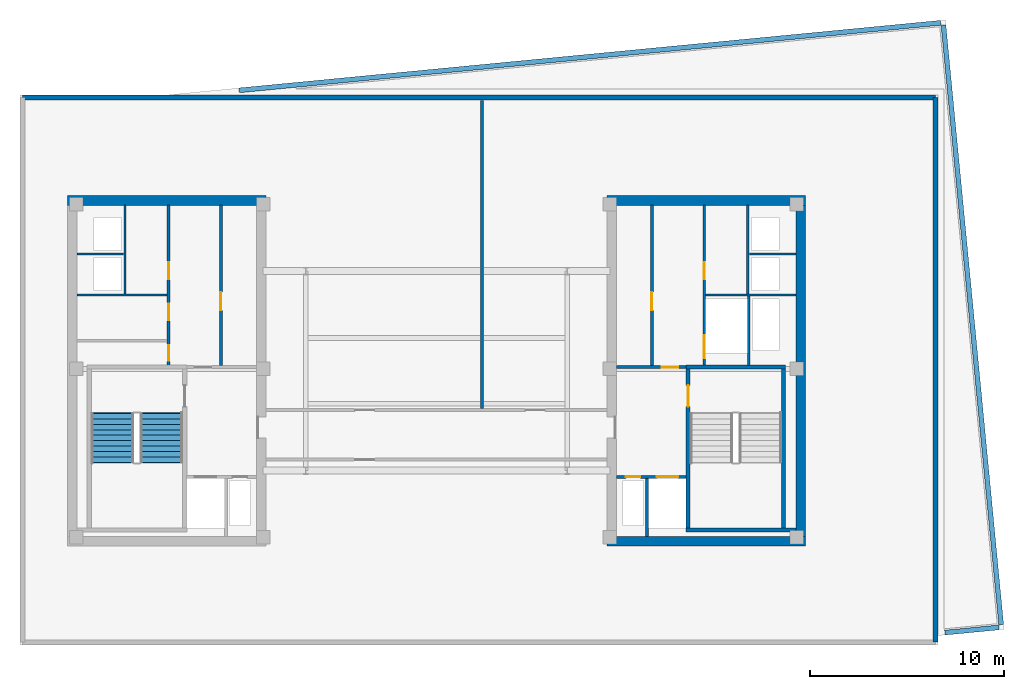
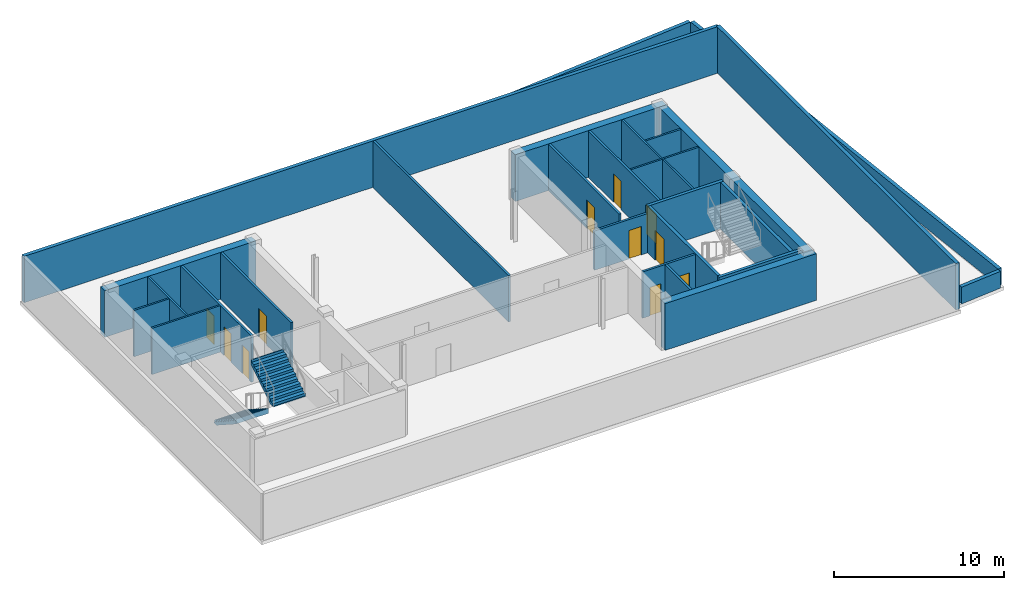
# One storey, part 3 of 6: 28 walls, 11 doors, 2 stair flights, 11 openings, 1 element without a shape of its own.
"""IFC4 building model written with IfcOpenShell, lengths in metres."""

from ifc_helpers import new_model, si_unit, direction, frame, frame_2d, origin, place, context, subcontext, project, spatial, polyline, rectangle, outline, extrude, material, layer, layer_set, type_object, element, fill, aggregate, save


model = new_model("IFC4")

# Units and contexts
model_context = context("Model", 3, precision=1e-05, world=origin(), true_north=direction((0.0, 1.0)))
body_context = subcontext(model_context, "Body", "Model", "MODEL_VIEW")
ifc_project = project(units=[si_unit("LENGTHUNIT", "METRE"), si_unit("AREAUNIT", "SQUARE_METRE"), si_unit("VOLUMEUNIT", "CUBIC_METRE"), si_unit("PLANEANGLEUNIT", "RADIAN"), si_unit("MASSUNIT", "GRAM", prefix="KILO")], contexts=[model_context])

# Site, building, storey
site_placement = place(None, origin())
site = spatial("IfcSite", under=ifc_project, at=site_placement, CompositionType="ELEMENT")
building_placement = place(site_placement, origin())
building = spatial("IfcBuilding", under=site, at=building_placement, Name="Velakula Bourse", CompositionType="ELEMENT")
storey_placement = place(building_placement, frame((0.0, 0.0, 290.550048828125)))
storey = spatial("IfcBuildingStorey", under=building, at=storey_placement, Name="L79", CompositionType="ELEMENT", Elevation=290.550048828125)

# Wall, opening, door
ifc_material_1 = material(Name="Concrete M50 (fck 50 MPa)", Category="concrete")
ifc_layer_1 = layer(ifc_material_1, 0.2099609375, Name="Concrete M50 (fck 50 MPa)", Category="concrete")
ifc_layer_set_1 = layer_set([ifc_layer_1], Name="Concrete M50 (fck 50 MPa)")
wall_type_1 = type_object("IfcWallType", Name="WL-CORE-210", PredefinedType="SHEAR", material=ifc_layer_set_1)
wall_1_placement = place(storey_placement, frame((12.9951171875, -8.10009765625, 0.0), z_axis=(0.0, 0.0, 1.0), x_axis=(0.0, 1.0, 0.0)))
wall_1 = element("IfcWall", 1, at=wall_1_placement, inside=storey, type_object=wall_type_1, Name="L79 Core E Stairwell Shear Wall IN", PredefinedType="SHEAR", context=body_context, shape_type="SweptSolid", body=[
    extrude(rectangle(XDim=8.2001953125, YDim=0.2099609375, at=frame_2d((4.10009765625, 0.0))), origin(), (0.0, 0.0, 1.0), 3.349853515625),
])
opening_1_placement = place(wall_1_placement, frame((6.25, 0.0, 0.0)))
opening_1 = element("IfcOpeningElement", 2, at=opening_1_placement, cuts=wall_1, Name="Opening D-STE1", PredefinedType="OPENING", context=body_context, shape_type="SweptSolid", body=[
    extrude(rectangle(XDim=1.10009765625, YDim=2.14990234375, at=frame_2d((0.550048828125, 1.074951171875))), frame((0.0, 0.114990234375, 0.0), z_axis=(0.0, -1.0, 0.0), x_axis=(1.0, 0.0, 0.0)), (0.0, 0.0, 1.0), 0.22998046875),
])
ifc_material_2 = material(Name="Galvanised painted hollow steel fire door", Category="steel")
door_type_1 = type_object("IfcDoorType", Name="DR-FD120-1100x2150", OperationType="NOTDEFINED", PredefinedType="DOOR", material=ifc_material_2)
door_1_placement = place(opening_1_placement, origin())
door_1 = element("IfcDoor", 3, at=door_1_placement, inside=storey, type_object=door_type_1, Name="L79 Stair ST-E1 Fire Door", OperationType="SINGLE_SWING_RIGHT", OverallHeight=2.14990234375, OverallWidth=1.10009765625, PredefinedType="DOOR", context=body_context, shape_type="SweptSolid", body=[
    extrude(rectangle(XDim=1.10009765625, YDim=2.14990234375, at=frame_2d((0.550048828125, 1.074951171875))), frame((0.0, 0.02490234375, 0.0), z_axis=(0.0, -1.0, 0.0), x_axis=(1.0, 0.0, 0.0)), (0.0, 0.0, 1.0), 0.050048828125),
])
fill(opening_1, door_1)

# Walls
wall_2_placement = place(storey_placement, frame((17.925048828125, -8.10009765625, 0.0), z_axis=(0.0, 0.0, 1.0), x_axis=(0.0, 1.0, 0.0)))
element("IfcWall", 4, at=wall_2_placement, inside=storey, type_object=wall_type_1, Name="L79 Core E Stairwell Shear Wall OUT", PredefinedType="SHEAR", context=body_context, shape_type="SweptSolid", body=[
    extrude(rectangle(XDim=8.2001953125, YDim=0.2099609375, at=frame_2d((4.10009765625, 0.0))), origin(), (0.0, 0.0, 1.0), 3.349853515625),
])
wall_3_placement = place(storey_placement, frame((12.889892578125, -8.205078125, 0.0), z_axis=(0.0, 0.0, 1.0), x_axis=(1.0, 0.0, 0.0)))
element("IfcWall", 5, at=wall_3_placement, inside=storey, type_object=wall_type_1, Name="L79 Core E Stairwell Shear Wall S", PredefinedType="SHEAR", context=body_context, shape_type="SweptSolid", body=[
    extrude(rectangle(XDim=5.66015625, YDim=0.2099609375, at=frame_2d((2.830078125, 0.0))), origin(), (0.0, 0.0, 1.0), 3.349853515625),
])
wall_4_placement = place(storey_placement, frame((18.030029296875, 0.205078125, 0.0), z_axis=(0.0, 0.0, 1.0), x_axis=(-1.0, 0.0, 0.0)))
element("IfcWall", 6, at=wall_4_placement, inside=storey, type_object=wall_type_1, Name="L79 Core E Stairwell Shear Wall N", PredefinedType="SHEAR", context=body_context, shape_type="SweptSolid", body=[
    extrude(rectangle(XDim=5.14013671875, YDim=0.2099609375, at=frame_2d((2.570068359375, 0.0))), origin(), (0.0, 0.0, 1.0), 3.349853515625),
])
ifc_layer_2 = layer(ifc_material_1, 0.5, Name="Concrete M50 (fck 50 MPa)", Category="concrete")
ifc_layer_set_2 = layer_set([ifc_layer_2], Name="Concrete M50 (fck 50 MPa)")
wall_type_2 = type_object("IfcWallType", Name="WL-CORE-500", PredefinedType="SHEAR", material=ifc_layer_set_2)
for number, where, z_axis, x_axis, name in (
    (7, (-19.050048828125, 8.800048828125, 0.0), (0.0, 0.0, 1.0), (1.0, 0.0, 0.0), "L79 Core W Shear Wall N"),
    (8, (8.800048828125, -8.800048828125, 0.0), (0.0, 0.0, 1.0), (1.0, 0.0, 0.0), "L79 Core E Shear Wall S"),
    (9, (8.800048828125, 8.800048828125, 0.0), (0.0, 0.0, 1.0), (1.0, 0.0, 0.0), "L79 Core E Shear Wall N"),
):
    element("IfcWall", number, at=place(storey_placement, frame(where, z_axis=z_axis, x_axis=x_axis)), inside=storey, type_object=wall_type_2, Name=name, PredefinedType="SHEAR", context=body_context, shape_type="SweptSolid", body=[
        extrude(rectangle(XDim=10.25, YDim=0.5, at=frame_2d((5.125, 0.0))), origin(), (0.0, 0.0, 1.0), 3.349853515625),
    ])
wall_5_placement = place(storey_placement, frame((18.800048828125, -8.550048828125, 0.0), z_axis=(0.0, 0.0, 1.0), x_axis=(0.0, 1.0, 0.0)))
element("IfcWall", 10, at=wall_5_placement, inside=storey, type_object=wall_type_2, Name="L79 Core E Shear Wall E", PredefinedType="SHEAR", context=body_context, shape_type="SweptSolid", body=[
    extrude(rectangle(XDim=17.10009765625, YDim=0.5, at=frame_2d((8.550048828125, 0.0))), origin(), (0.0, 0.0, 1.0), 3.349853515625),
])
ifc_material_3 = material(Name="Buff kilned clay facing brick masonry", Category="masonry")
ifc_layer_3 = layer(ifc_material_3, 0.239990234375, Name="Buff kilned clay facing brick masonry", Category="masonry")
ifc_layer_set_3 = layer_set([ifc_layer_3], Name="Buff kilned clay facing brick masonry")
wall_type_3 = type_object("IfcWallType", Name="WL-EXT-CRN-240", PredefinedType="STANDARD", material=ifc_layer_set_3)
wall_6_placement = place(storey_placement, frame((25.760009765625, -14.010009765625, 0.0), z_axis=(0.0, 0.0, 1.0), x_axis=(0.0, 1.0, 0.0)))
element("IfcWall", 11, at=wall_6_placement, inside=storey, type_object=wall_type_3, Name="L79 Crown Brick Acoustic Wall E", PredefinedType="STANDARD", context=body_context, shape_type="SweptSolid", body=[
    extrude(rectangle(XDim=28.1201171875, YDim=0.239990234375, at=frame_2d((14.06005859375, 0.0))), origin(), (0.0, 0.0, 1.0), 3.329833984375),
])
wall_7_placement = place(storey_placement, frame((25.760009765625, 14.110107421875, 0.0), z_axis=(0.0, 0.0, 1.0), x_axis=(-1.0, 0.0, 0.0)))
element("IfcWall", 12, at=wall_7_placement, inside=storey, type_object=wall_type_3, Name="L79 Crown Brick Acoustic Wall N", PredefinedType="STANDARD", context=body_context, shape_type="SweptSolid", body=[
    extrude(rectangle(XDim=47.1201171875, YDim=0.239990234375, at=frame_2d((23.56005859375, 0.0))), origin(), (0.0, 0.0, 1.0), 3.329833984375),
])
ifc_layer_4 = layer(ifc_material_3, 0.25, Name="Buff kilned clay facing brick masonry", Category="masonry")
ifc_layer_set_4 = layer_set([ifc_layer_4], Name="Buff kilned clay facing brick masonry")
wall_type_4 = type_object("IfcWallType", Name="WL-PAR-ROOF-250", PredefinedType="PARAPET", material=ifc_layer_set_4)
wall_8_placement = place(storey_placement, frame((26.175537109375, 17.853515625, 0.0), z_axis=(0.0, 0.0, 1.0), x_axis=(0.095842242212, -0.995396536365, 0.0)))
element("IfcWall", 13, at=wall_8_placement, inside=storey, type_object=wall_type_4, Name="L79 Closed Roof Perimeter Parapet 1", PredefinedType="PARAPET", context=body_context, shape_type="SweptSolid", body=[
    extrude(rectangle(XDim=31.10009765625, YDim=0.25, at=frame_2d((15.550048828125, 0.0))), origin(), (0.0, 0.0, 1.0), 1.199951171875),
])
wall_9_placement = place(storey_placement, frame((29.039306640625, -13.2451171875, 0.0), z_axis=(0.0, 0.0, 1.0), x_axis=(-0.995390337181, -0.095906603766, 0.0)))
element("IfcWall", 14, at=wall_9_placement, inside=storey, type_object=wall_type_4, Name="L79 Closed Roof Perimeter Parapet 2", PredefinedType="PARAPET", context=body_context, shape_type="SweptSolid", body=[
    extrude(rectangle(XDim=2.802734375, YDim=0.25, at=frame_2d((1.4013671875, 0.0))), origin(), (0.0, 0.0, 1.0), 1.199951171875),
])
wall_10_placement = place(storey_placement, frame((-10.190185546875, 14.482421875, 0.0), z_axis=(0.0, 0.0, 1.0), x_axis=(0.995396003119, 0.095847780233, 0.0)))
element("IfcWall", 15, at=wall_10_placement, inside=storey, type_object=wall_type_4, Name="L79 Closed Roof Perimeter Parapet 3", PredefinedType="PARAPET", context=body_context, shape_type="SweptSolid", body=[
    extrude(rectangle(XDim=36.391357421875, YDim=0.25, at=frame_2d((18.19580078125, 0.0))), origin(), (0.0, 0.0, 1.0), 1.199951171875),
])
ifc_material_4 = material(Name="Fire-rated double-layer gypsum drywall partition", Category="gypsum")
ifc_layer_5 = layer(ifc_material_4, 0.1201171875, Name="Fire-rated double-layer gypsum drywall partition", Category="gypsum")
ifc_layer_set_5 = layer_set([ifc_layer_5], Name="Fire-rated double-layer gypsum drywall partition")
wall_type_5 = type_object("IfcWallType", Name="WL-PART-120", PredefinedType="STANDARD", material=ifc_layer_set_5)
wall_11_placement = place(storey_placement, frame((-18.550048828125, 3.919921875, 0.0), z_axis=(0.0, 0.0, 1.0), x_axis=(1.0, 0.0, 0.0)))
element("IfcWall", 16, at=wall_11_placement, inside=storey, type_object=wall_type_5, Name="L79 Interior Partition WL-CRW-L79-HI-S", PredefinedType="STANDARD", context=body_context, shape_type="SweptSolid", body=[
    extrude(rectangle(XDim=4.650146484375, YDim=0.1201171875, at=frame_2d((2.3251953125, 0.0))), origin(), (0.0, 0.0, 1.0), 3.329833984375),
])
wall_12_placement = place(storey_placement, frame((-18.550048828125, 6.030029296875, 0.0), z_axis=(0.0, 0.0, 1.0), x_axis=(1.0, 0.0, 0.0)))
element("IfcWall", 17, at=wall_12_placement, inside=storey, type_object=wall_type_5, Name="L79 Interior Partition WL-CRW-L79-RIS-MID", PredefinedType="STANDARD", context=body_context, shape_type="SweptSolid", body=[
    extrude(rectangle(XDim=2.400146484375, YDim=0.1201171875, at=frame_2d((1.2001953125, 0.0))), origin(), (0.0, 0.0, 1.0), 3.329833984375),
])
wall_13_placement = place(storey_placement, frame((-16.074951171875, 3.97998046875, 0.0), z_axis=(0.0, 0.0, 1.0), x_axis=(0.0, 1.0, 0.0)))
element("IfcWall", 18, at=wall_13_placement, inside=storey, type_object=wall_type_5, Name="L79 Interior Partition WL-CRW-L79-RIS-F", PredefinedType="STANDARD", context=body_context, shape_type="SweptSolid", body=[
    extrude(rectangle(XDim=4.570068359375, YDim=0.1201171875, at=frame_2d((2.28515625, 0.0))), origin(), (0.0, 0.0, 1.0), 3.329833984375),
])
wall_14_placement = place(storey_placement, frame((13.89990234375, 3.919921875, 0.0), z_axis=(0.0, 0.0, 1.0), x_axis=(1.0, 0.0, 0.0)))
element("IfcWall", 19, at=wall_14_placement, inside=storey, type_object=wall_type_5, Name="L79 Interior Partition WL-CRE-L79-HI-S", PredefinedType="STANDARD", context=body_context, shape_type="SweptSolid", body=[
    extrude(rectangle(XDim=4.650146484375, YDim=0.1201171875, at=frame_2d((2.3251953125, 0.0))), origin(), (0.0, 0.0, 1.0), 3.329833984375),
])
wall_15_placement = place(storey_placement, frame((16.14990234375, 6.030029296875, 0.0), z_axis=(0.0, 0.0, 1.0), x_axis=(1.0, 0.0, 0.0)))
element("IfcWall", 20, at=wall_15_placement, inside=storey, type_object=wall_type_5, Name="L79 Interior Partition WL-CRE-L79-RIS-MID", PredefinedType="STANDARD", context=body_context, shape_type="SweptSolid", body=[
    extrude(rectangle(XDim=2.400146484375, YDim=0.1201171875, at=frame_2d((1.2001953125, 0.0))), origin(), (0.0, 0.0, 1.0), 3.329833984375),
])
wall_16_placement = place(storey_placement, frame((16.074951171875, 3.97998046875, 0.0), z_axis=(0.0, 0.0, 1.0), x_axis=(0.0, 1.0, 0.0)))
element("IfcWall", 21, at=wall_16_placement, inside=storey, type_object=wall_type_5, Name="L79 Interior Partition WL-CRE-L79-RIS-F", PredefinedType="STANDARD", context=body_context, shape_type="SweptSolid", body=[
    extrude(rectangle(XDim=4.570068359375, YDim=0.1201171875, at=frame_2d((2.28515625, 0.0))), origin(), (0.0, 0.0, 1.0), 3.329833984375),
])
wall_17_placement = place(storey_placement, frame((16.125, 0.27001953125, 0.0), z_axis=(0.0, 0.0, 1.0), x_axis=(0.0, 1.0, 0.0)))
element("IfcWall", 22, at=wall_17_placement, inside=storey, type_object=wall_type_5, Name="L79 Interior Partition WL-CRE-L79-SVL-E", PredefinedType="STANDARD", context=body_context, shape_type="SweptSolid", body=[
    extrude(rectangle(XDim=3.590087890625, YDim=0.1201171875, at=frame_2d((1.794921875, 0.0))), origin(), (0.0, 0.0, 1.0), 3.329833984375),
])

# Wall, opening, door
ifc_material_5 = material(Name="Autoclaved aerated concrete blockwork masonry", Category="masonry")
ifc_layer_6 = layer(ifc_material_5, 0.14990234375, Name="Autoclaved aerated concrete blockwork masonry", Category="masonry")
ifc_layer_set_6 = layer_set([ifc_layer_6], Name="Autoclaved aerated concrete blockwork masonry")
wall_type_6 = type_object("IfcWallType", Name="WL-SHAFT-150", PredefinedType="STANDARD", material=ifc_layer_set_6)
wall_18_placement = place(storey_placement, frame((-11.125, 0.27001953125, 0.0), z_axis=(0.0, 0.0, 1.0), x_axis=(0.0, 1.0, 0.0)))
wall_18 = element("IfcWall", 23, at=wall_18_placement, inside=storey, type_object=wall_type_6, Name="L79 Interior Partition WL-CRW-L79-BANK-F", PredefinedType="STANDARD", context=body_context, shape_type="SweptSolid", body=[
    extrude(rectangle(XDim=8.280029296875, YDim=0.14990234375, at=frame_2d((4.14013671875, 0.0))), origin(), (0.0, 0.0, 1.0), 3.329833984375),
])
opening_2_placement = place(wall_18_placement, frame((2.85009765625, 0.0, 0.0)))
opening_2 = element("IfcOpeningElement", 24, at=opening_2_placement, cuts=wall_18, Name="Opening D-RC4", PredefinedType="OPENING", context=body_context, shape_type="SweptSolid", body=[
    extrude(rectangle(XDim=0.949951171875, YDim=2.050048828125, at=frame_2d((0.47509765625, 1.02490234375))), frame((0.0, 0.0849609375, 0.0), z_axis=(0.0, -1.0, 0.0), x_axis=(1.0, 0.0, 0.0)), (0.0, 0.0, 1.0), 0.169921875),
])
ifc_material_6 = material(Name="Fire-rated hardwood flush architectural door", Category="wood")
door_type_2 = type_object("IfcDoorType", Name="DR-FD60-950x2050", OperationType="NOTDEFINED", PredefinedType="DOOR", material=ifc_material_6)
door_2_placement = place(opening_2_placement, origin())
door_2 = element("IfcDoor", 25, at=door_2_placement, inside=storey, type_object=door_type_2, Name="L79 Reclaimed Multi-Bay Archive Room Door", OperationType="SINGLE_SWING_RIGHT", OverallHeight=2.050048828125, OverallWidth=0.949951171875, PredefinedType="DOOR", context=body_context, shape_type="SweptSolid", body=[
    extrude(rectangle(XDim=0.949951171875, YDim=2.050048828125, at=frame_2d((0.47509765625, 1.02490234375))), frame((0.0, 0.02490234375, 0.0), z_axis=(0.0, -1.0, 0.0), x_axis=(1.0, 0.0, 0.0)), (0.0, 0.0, 1.0), 0.050048828125),
])
fill(opening_2, door_2)

# Wall, openings, doors
wall_19_placement = place(storey_placement, frame((-13.824951171875, 0.27001953125, 0.0), z_axis=(0.0, 0.0, 1.0), x_axis=(0.0, 1.0, 0.0)))
wall_19 = element("IfcWall", 26, at=wall_19_placement, inside=storey, type_object=wall_type_6, Name="L79 Interior Partition WL-CRW-L79-OUT-F", PredefinedType="STANDARD", context=body_context, shape_type="SweptSolid", body=[
    extrude(rectangle(XDim=8.280029296875, YDim=0.14990234375, at=frame_2d((4.14013671875, 0.0))), origin(), (0.0, 0.0, 1.0), 3.329833984375),
])
opening_3_placement = place(wall_19_placement, frame((4.449951171875, 0.0, 0.0)))
opening_3 = element("IfcOpeningElement", 27, at=opening_3_placement, cuts=wall_19, Name="Opening D-RC3", PredefinedType="OPENING", context=body_context, shape_type="SweptSolid", body=[
    extrude(rectangle(XDim=0.89990234375, YDim=2.050048828125, at=frame_2d((0.449951171875, 1.02490234375))), frame((0.0, 0.0849609375, 0.0), z_axis=(0.0, -1.0, 0.0), x_axis=(1.0, 0.0, 0.0)), (0.0, 0.0, 1.0), 0.169921875),
])
opening_4_placement = place(wall_19_placement, frame((0.25, 0.0, 0.0)))
opening_4 = element("IfcOpeningElement", 28, at=opening_4_placement, cuts=wall_19, Name="Opening D-CS1", PredefinedType="OPENING", context=body_context, shape_type="SweptSolid", body=[
    extrude(rectangle(XDim=0.800048828125, YDim=2.050048828125, at=frame_2d((0.39990234375, 1.02490234375))), frame((0.0, 0.0849609375, 0.0), z_axis=(0.0, -1.0, 0.0), x_axis=(1.0, 0.0, 0.0)), (0.0, 0.0, 1.0), 0.169921875),
])
opening_5_placement = place(wall_19_placement, frame((2.35009765625, 0.0, 0.0)))
opening_5 = element("IfcOpeningElement", 29, at=opening_5_placement, cuts=wall_19, Name="Opening D-CW1", PredefinedType="OPENING", context=body_context, shape_type="SweptSolid", body=[
    extrude(rectangle(XDim=0.85009765625, YDim=2.050048828125, at=frame_2d((0.425048828125, 1.02490234375))), frame((0.0, 0.0849609375, 0.0), z_axis=(0.0, -1.0, 0.0), x_axis=(1.0, 0.0, 0.0)), (0.0, 0.0, 1.0), 0.169921875),
])
door_type_3 = type_object("IfcDoorType", Name="DR-FD60-900", OperationType="NOTDEFINED", PredefinedType="DOOR", material=ifc_material_6)
door_3_placement = place(opening_3_placement, origin())
door_3 = element("IfcDoor", 30, at=door_3_placement, inside=storey, type_object=door_type_3, Name="L79 Crown Lift Machine Plant Room Door", OperationType="SINGLE_SWING_LEFT", OverallHeight=2.050048828125, OverallWidth=0.89990234375, PredefinedType="DOOR", context=body_context, shape_type="SweptSolid", body=[
    extrude(rectangle(XDim=0.89990234375, YDim=2.050048828125, at=frame_2d((0.449951171875, 1.02490234375))), frame((0.0, 0.02490234375, 0.0), z_axis=(0.0, -1.0, 0.0), x_axis=(1.0, 0.0, 0.0)), (0.0, 0.0, 1.0), 0.050048828125),
])
fill(opening_3, door_3)
door_type_4 = type_object("IfcDoorType", Name="DR-INT-850", OperationType="NOTDEFINED", PredefinedType="DOOR", material=ifc_material_6)
door_4_placement = place(opening_5_placement, origin())
door_4 = element("IfcDoor", 31, at=door_4_placement, inside=storey, type_object=door_type_4, Name="L79 Core Janitor Closet Door", OperationType="SINGLE_SWING_RIGHT", OverallHeight=2.050048828125, OverallWidth=0.85009765625, PredefinedType="DOOR", context=body_context, shape_type="SweptSolid", body=[
    extrude(rectangle(XDim=0.85009765625, YDim=2.050048828125, at=frame_2d((0.425048828125, 1.02490234375))), frame((0.0, 0.02490234375, 0.0), z_axis=(0.0, -1.0, 0.0), x_axis=(1.0, 0.0, 0.0)), (0.0, 0.0, 1.0), 0.050048828125),
])
fill(opening_5, door_4)
door_type_5 = type_object("IfcDoorType", Name="DR-RISER-800x2050", OperationType="NOTDEFINED", PredefinedType="DOOR", material=ifc_material_2)
door_5_placement = place(opening_4_placement, origin())
door_5 = element("IfcDoor", 32, at=door_5_placement, inside=storey, type_object=door_type_5, Name="L79 Core Cleaner Store Door", OperationType="SINGLE_SWING_LEFT", OverallHeight=2.050048828125, OverallWidth=0.800048828125, PredefinedType="DOOR", context=body_context, shape_type="SweptSolid", body=[
    extrude(rectangle(XDim=0.800048828125, YDim=2.050048828125, at=frame_2d((0.39990234375, 1.02490234375))), frame((0.0, 0.02490234375, 0.0), z_axis=(0.0, -1.0, 0.0), x_axis=(1.0, 0.0, 0.0)), (0.0, 0.0, 1.0), 0.050048828125),
])
fill(opening_4, door_5)

wall_20_placement = place(storey_placement, frame((9.300048828125, -5.47509765625, 0.0), z_axis=(0.0, 0.0, 1.0), x_axis=(1.0, 0.0, 0.0)))
wall_20 = element("IfcWall", 33, at=wall_20_placement, inside=storey, type_object=wall_type_6, Name="L79 Interior Partition WL-CRE-L79-FFL-N", PredefinedType="STANDARD", context=body_context, shape_type="SweptSolid", body=[
    extrude(rectangle(XDim=3.594970703125, YDim=0.14990234375, at=frame_2d((1.79736328125, 0.0))), origin(), (0.0, 0.0, 1.0), 3.329833984375),
])
opening_6_placement = place(wall_20_placement, frame((2.074951171875, 0.0, 0.0)))
opening_6 = element("IfcOpeningElement", 34, at=opening_6_placement, cuts=wall_20, Name="Opening LD-FFL-2", PredefinedType="OPENING", context=body_context, shape_type="SweptSolid", body=[
    extrude(rectangle(XDim=1.10009765625, YDim=2.14990234375, at=frame_2d((0.550048828125, 1.074951171875))), frame((0.0, 0.0849609375, 0.0), z_axis=(0.0, -1.0, 0.0), x_axis=(1.0, 0.0, 0.0)), (0.0, 0.0, 1.0), 0.169921875),
])
opening_7_placement = place(wall_20_placement, frame((0.47509765625, 0.0, 0.0)))
opening_7 = element("IfcOpeningElement", 35, at=opening_7_placement, cuts=wall_20, Name="Opening D-RS1", PredefinedType="OPENING", context=body_context, shape_type="SweptSolid", body=[
    extrude(rectangle(XDim=0.75, YDim=2.050048828125, at=frame_2d((0.375, 1.02490234375))), frame((0.0, 0.0849609375, 0.0), z_axis=(0.0, -1.0, 0.0), x_axis=(1.0, 0.0, 0.0)), (0.0, 0.0, 1.0), 0.169921875),
])
door_type_6 = type_object("IfcDoorType", Name="DR-RISER-800", OperationType="NOTDEFINED", PredefinedType="DOOR", material=ifc_material_2)
door_6_placement = place(opening_7_placement, origin())
door_6 = element("IfcDoor", 36, at=door_6_placement, inside=storey, type_object=door_type_6, Name="L79 Fire Riser Access Door", OperationType="SINGLE_SWING_LEFT", OverallHeight=2.050048828125, OverallWidth=0.75, PredefinedType="DOOR", context=body_context, shape_type="SweptSolid", body=[
    extrude(rectangle(XDim=0.75, YDim=2.050048828125, at=frame_2d((0.375, 1.02490234375))), frame((0.0, 0.02490234375, 0.0), z_axis=(0.0, -1.0, 0.0), x_axis=(1.0, 0.0, 0.0)), (0.0, 0.0, 1.0), 0.050048828125),
])
fill(opening_7, door_6)
ifc_material_7 = material(Name="Brushed grade 316 stainless steel", Category="steel")
door_type_7 = type_object("IfcDoorType", Name="DR-SLIDE-FFL-1100", OperationType="DOUBLE_DOOR_SLIDING", PredefinedType="DOOR", material=ifc_material_7)
door_7_placement = place(opening_6_placement, origin())
door_7 = element("IfcDoor", 37, at=door_7_placement, inside=storey, type_object=door_type_7, Name="L79 Firefighting Lift FFL-2 Sliding Landing Door", OperationType="DOUBLE_DOOR_SLIDING", OverallHeight=2.14990234375, OverallWidth=1.10009765625, PredefinedType="DOOR", context=body_context, shape_type="SweptSolid", body=[
    extrude(rectangle(XDim=1.10009765625, YDim=2.14990234375, at=frame_2d((0.550048828125, 1.074951171875))), frame((0.0, 0.02490234375, 0.0), z_axis=(0.0, -1.0, 0.0), x_axis=(1.0, 0.0, 0.0)), (0.0, 0.0, 1.0), 0.050048828125),
])
fill(opening_6, door_7)

# Wall
wall_21_placement = place(storey_placement, frame((10.875, -8.550048828125, 0.0), z_axis=(0.0, 0.0, 1.0), x_axis=(0.0, 1.0, 0.0)))
element("IfcWall", 38, at=wall_21_placement, inside=storey, type_object=wall_type_6, Name="L79 Interior Partition WL-CRE-L79-FR-DIV", PredefinedType="STANDARD", context=body_context, shape_type="SweptSolid", body=[
    extrude(rectangle(XDim=3.0, YDim=0.14990234375, at=frame_2d((1.5, 0.0))), origin(), (0.0, 0.0, 1.0), 3.329833984375),
])

# Wall, opening, door
wall_22_placement = place(storey_placement, frame((9.300048828125, 0.18994140625, 0.0), z_axis=(0.0, 0.0, 1.0), x_axis=(1.0, 0.0, 0.0)))
wall_22 = element("IfcWall", 39, at=wall_22_placement, inside=storey, type_object=wall_type_6, Name="L79 Interior Partition WL-CRE-L79-FF-TOP", PredefinedType="STANDARD", context=body_context, shape_type="SweptSolid", body=[
    extrude(rectangle(XDim=3.58984375, YDim=0.14990234375, at=frame_2d((1.794921875, 0.0))), origin(), (0.0, 0.0, 1.0), 2.824951171875),
])
opening_8_placement = place(wall_22_placement, frame((2.324951171875, 0.0, 0.0)))
opening_8 = element("IfcOpeningElement", 40, at=opening_8_placement, cuts=wall_22, Name="Opening D-FC1", PredefinedType="OPENING", context=body_context, shape_type="SweptSolid", body=[
    extrude(rectangle(XDim=0.85009765625, YDim=2.0400390625, at=frame_2d((0.425048828125, 1.02001953125))), frame((0.0, 0.0849609375, 0.0), z_axis=(0.0, -1.0, 0.0), x_axis=(1.0, 0.0, 0.0)), (0.0, 0.0, 1.0), 0.169921875),
])
door_type_8 = type_object("IfcDoorType", Name="DR-FD120-850", OperationType="NOTDEFINED", PredefinedType="DOOR", material=ifc_material_2)
door_8_placement = place(opening_8_placement, origin())
door_8 = element("IfcDoor", 41, at=door_8_placement, inside=storey, type_object=door_type_8, Name="L79 Firefighting Lobby Link Fire Door", OperationType="SINGLE_SWING_LEFT", OverallHeight=2.0400390625, OverallWidth=0.85009765625, PredefinedType="DOOR", context=body_context, shape_type="SweptSolid", body=[
    extrude(rectangle(XDim=0.85009765625, YDim=2.0400390625, at=frame_2d((0.425048828125, 1.02001953125))), frame((0.0, 0.02490234375, 0.0), z_axis=(0.0, -1.0, 0.0), x_axis=(1.0, 0.0, 0.0)), (0.0, 0.0, 1.0), 0.050048828125),
])
fill(opening_8, door_8)

wall_23_placement = place(storey_placement, frame((11.125, 0.27001953125, 0.0), z_axis=(0.0, 0.0, 1.0), x_axis=(0.0, 1.0, 0.0)))
wall_23 = element("IfcWall", 42, at=wall_23_placement, inside=storey, type_object=wall_type_6, Name="L79 Interior Partition WL-CRE-L79-BANK-F", PredefinedType="STANDARD", context=body_context, shape_type="SweptSolid", body=[
    extrude(rectangle(XDim=8.280029296875, YDim=0.14990234375, at=frame_2d((4.14013671875, 0.0))), origin(), (0.0, 0.0, 1.0), 3.329833984375),
])
opening_9_placement = place(wall_23_placement, frame((2.85009765625, 0.0, 0.0)))
opening_9 = element("IfcOpeningElement", 43, at=opening_9_placement, cuts=wall_23, Name="Opening D-RC5", PredefinedType="OPENING", context=body_context, shape_type="SweptSolid", body=[
    extrude(rectangle(XDim=0.949951171875, YDim=2.050048828125, at=frame_2d((0.47509765625, 1.02490234375))), frame((0.0, 0.0849609375, 0.0), z_axis=(0.0, -1.0, 0.0), x_axis=(1.0, 0.0, 0.0)), (0.0, 0.0, 1.0), 0.169921875),
])
door_9_placement = place(opening_9_placement, origin())
door_9 = element("IfcDoor", 44, at=door_9_placement, inside=storey, type_object=door_type_2, Name="L79 Reclaimed Multi-Bay Depository Room Door", OperationType="SINGLE_SWING_LEFT", OverallHeight=2.050048828125, OverallWidth=0.949951171875, PredefinedType="DOOR", context=body_context, shape_type="SweptSolid", body=[
    extrude(rectangle(XDim=0.949951171875, YDim=2.050048828125, at=frame_2d((0.47509765625, 1.02490234375))), frame((0.0, 0.02490234375, 0.0), z_axis=(0.0, -1.0, 0.0), x_axis=(1.0, 0.0, 0.0)), (0.0, 0.0, 1.0), 0.050048828125),
])
fill(opening_9, door_9)

# Wall, openings, doors
wall_24_placement = place(storey_placement, frame((13.824951171875, 0.27001953125, 0.0), z_axis=(0.0, 0.0, 1.0), x_axis=(0.0, 1.0, 0.0)))
wall_24 = element("IfcWall", 45, at=wall_24_placement, inside=storey, type_object=wall_type_6, Name="L79 Interior Partition WL-CRE-L79-OUT-F", PredefinedType="STANDARD", context=body_context, shape_type="SweptSolid", body=[
    extrude(rectangle(XDim=8.280029296875, YDim=0.14990234375, at=frame_2d((4.14013671875, 0.0))), origin(), (0.0, 0.0, 1.0), 3.329833984375),
])
opening_10_placement = place(wall_24_placement, frame((4.449951171875, 0.0, 0.0)))
opening_10 = element("IfcOpeningElement", 46, at=opening_10_placement, cuts=wall_24, Name="Opening D-RC3", PredefinedType="OPENING", context=body_context, shape_type="SweptSolid", body=[
    extrude(rectangle(XDim=0.89990234375, YDim=2.050048828125, at=frame_2d((0.449951171875, 1.02490234375))), frame((0.0, 0.0849609375, 0.0), z_axis=(0.0, -1.0, 0.0), x_axis=(1.0, 0.0, 0.0)), (0.0, 0.0, 1.0), 0.169921875),
])
opening_11_placement = place(wall_24_placement, frame((0.3798828125, 0.0, 0.0)))
opening_11 = element("IfcOpeningElement", 47, at=opening_11_placement, cuts=wall_24, Name="Opening LD-SVL1", PredefinedType="OPENING", context=body_context, shape_type="SweptSolid", body=[
    extrude(rectangle(XDim=1.199951171875, YDim=2.10009765625, at=frame_2d((0.60009765625, 1.050048828125))), frame((0.0, 0.0849609375, 0.0), z_axis=(0.0, -1.0, 0.0), x_axis=(1.0, 0.0, 0.0)), (0.0, 0.0, 1.0), 0.169921875),
])
door_10_placement = place(opening_10_placement, origin())
door_10 = element("IfcDoor", 48, at=door_10_placement, inside=storey, type_object=door_type_3, Name="L79 Crown Lift Machine Plant Room Door", OperationType="SINGLE_SWING_LEFT", OverallHeight=2.050048828125, OverallWidth=0.89990234375, PredefinedType="DOOR", context=body_context, shape_type="SweptSolid", body=[
    extrude(rectangle(XDim=0.89990234375, YDim=2.050048828125, at=frame_2d((0.449951171875, 1.02490234375))), frame((0.0, 0.02490234375, 0.0), z_axis=(0.0, -1.0, 0.0), x_axis=(1.0, 0.0, 0.0)), (0.0, 0.0, 1.0), 0.050048828125),
])
fill(opening_10, door_10)
door_type_9 = type_object("IfcDoorType", Name="DR-SLIDE-LD-1200", OperationType="DOUBLE_DOOR_SLIDING", PredefinedType="DOOR", material=ifc_material_7)
door_11_placement = place(opening_11_placement, origin())
door_11 = element("IfcDoor", 49, at=door_11_placement, inside=storey, type_object=door_type_9, Name="L79 Service Lift SVL-1 Sliding Landing Door", OperationType="DOUBLE_DOOR_SLIDING", OverallHeight=2.10009765625, OverallWidth=1.199951171875, PredefinedType="DOOR", context=body_context, shape_type="SweptSolid", body=[
    extrude(rectangle(XDim=1.199951171875, YDim=2.10009765625, at=frame_2d((0.60009765625, 1.050048828125))), frame((0.0, 0.02490234375, 0.0), z_axis=(0.0, -1.0, 0.0), x_axis=(1.0, 0.0, 0.0)), (0.0, 0.0, 1.0), 0.050048828125),
])
fill(opening_11, door_11)

# Wall
wall_25_placement = place(storey_placement, frame((2.35009765625, -1.93994140625, 0.0), z_axis=(0.0, 0.0, 1.0), x_axis=(0.0, 1.0, 0.0)))
element("IfcWall", 50, at=wall_25_placement, inside=storey, type_object=wall_type_6, Name="L79 Interior Partition WL-CRN-L79-DIV", PredefinedType="STANDARD", context=body_context, shape_type="SweptSolid", body=[
    extrude(rectangle(XDim=15.909912109375, YDim=0.14990234375, at=frame_2d((7.955078125, 0.0))), origin(), (0.0, 0.0, 1.0), 3.329833984375),
])

# Stair, stair flights
ifc_material_8 = material(Name="Concrete M45 (fck 45 MPa)", Category="concrete")
stair_type = type_object("IfcStairType", Name="STR-DOG-390", PredefinedType="HALF_TURN_STAIR", material=ifc_material_8)
stair_placement = place(storey_placement, origin())
stair = element("IfcStair", 51, at=stair_placement, inside=storey, type_object=stair_type, Name="L79 West Core Exit Stair ST-W1", PredefinedType="HALF_TURN_STAIR")
ifc_layer_7 = layer(ifc_material_8, 0.195068359375, Name="Concrete M45 (fck 45 MPa)", Category="concrete")
ifc_layer_set_7 = layer_set([ifc_layer_7], Name="Concrete M45 (fck 45 MPa)")
stair_flight_type = type_object("IfcStairFlightType", Name="FLT-DOG-390", PredefinedType="STRAIGHT", material=ifc_layer_set_7)
stair_flight_1_placement = place(storey_placement, frame((-16.720947265625, -2.199951171875, 0.0), z_axis=(0.0, 0.0, 1.0), x_axis=(0.0, -1.0, 0.0)))
stair_flight_1 = element("IfcStairFlight", 52, at=stair_flight_1_placement, type_object=stair_flight_type, Name="ST-W1 flight 1", NumberOfRisers=10, NumberOfTreads=9, PredefinedType="STRAIGHT", RiserHeight=0.18, TreadLength=0.28, context=body_context, shape_type="SweptSolid", body=[
    extrude(outline(polyline([(-0.044921875, -0.0400390625), (-0.044921875, -0.036865234375), (-0.044921875, -0.033935546875), (-0.044921875, -0.03076171875), (-0.044921875, -0.027587890625), (-0.044921875, -0.024658203125), (-0.044921875, -0.021484375), (-0.044921875, -0.0185546875), (-0.044921875, -0.015380859375), (-0.044921875, -0.01220703125), (-0.044921875, -0.00927734375), (-0.044921875, -0.006103515625), (-0.044921875, -0.003173828125), (-0.044921875, 0.0), (0.0, 0.0), (0.0, 0.179931640625), (0.280029296875, 0.179931640625), (0.280029296875, 0.360107421875), (0.56005859375, 0.360107421875), (0.56005859375, 0.5400390625), (0.840087890625, 0.5400390625), (0.840087890625, 0.719970703125), (1.1201171875, 0.719970703125), (1.1201171875, 0.89990234375), (1.39990234375, 0.89990234375), (1.39990234375, 1.080078125), (1.679931640625, 1.080078125), (1.679931640625, 1.260009765625), (1.9599609375, 1.260009765625), (1.9599609375, 1.43994140625), (2.239990234375, 1.43994140625), (2.239990234375, 1.6201171875), (2.52001953125, 1.6201171875), (2.52001953125, 1.800048828125), (2.56494140625, 1.800048828125), (2.56494140625, 1.7744140625), (2.56494140625, 1.748779296875), (2.56494140625, 1.72314453125), (2.56494140625, 1.69775390625), (2.56494140625, 1.672119140625), (2.56494140625, 1.646484375), (2.56494140625, 1.620849609375), (2.56494140625, 1.59521484375), (2.56494140625, 1.56982421875), (2.56494140625, 1.544189453125), (2.56494140625, 1.5185546875), (2.56494140625, 1.492919921875), (2.56494140625, 1.46728515625), (2.56494140625, 1.44189453125), (0.277099609375, -0.0400390625), (-0.044921875, -0.0400390625)])), frame((0.0, 1.09912109375, 0.0), z_axis=(0.0, -1.0, 0.0), x_axis=(1.0, 0.0, 0.0)), (0.0, 0.0, 1.0), 2.197998046875),
])
stair_flight_2_placement = place(storey_placement, frame((-14.198974609375, -4.719970703125, 1.800048828125), z_axis=(0.0, 0.0, 1.0), x_axis=(0.0, 1.0, 0.0)))
stair_flight_2 = element("IfcStairFlight", 53, at=stair_flight_2_placement, type_object=stair_flight_type, Name="ST-W1 flight 2", NumberOfRisers=10, NumberOfTreads=9, PredefinedType="STRAIGHT", RiserHeight=0.18, TreadLength=0.28, context=body_context, shape_type="SweptSolid", body=[
    extrude(outline(polyline([(-0.044921875, -0.0400390625), (-0.044921875, -0.036865234375), (-0.044921875, -0.033935546875), (-0.044921875, -0.03076171875), (-0.044921875, -0.027587890625), (-0.044921875, -0.024658203125), (-0.044921875, -0.021484375), (-0.044921875, -0.0185546875), (-0.044921875, -0.015380859375), (-0.044921875, -0.01220703125), (-0.044921875, -0.00927734375), (-0.044921875, -0.006103515625), (-0.044921875, -0.003173828125), (-0.044921875, 0.0), (0.0, 0.0), (0.0, 0.179931640625), (0.280029296875, 0.179931640625), (0.280029296875, 0.360107421875), (0.56005859375, 0.360107421875), (0.56005859375, 0.5400390625), (0.840087890625, 0.5400390625), (0.840087890625, 0.719970703125), (1.1201171875, 0.719970703125), (1.1201171875, 0.89990234375), (1.39990234375, 0.89990234375), (1.39990234375, 1.080078125), (1.679931640625, 1.080078125), (1.679931640625, 1.260009765625), (1.9599609375, 1.260009765625), (1.9599609375, 1.43994140625), (2.239990234375, 1.43994140625), (2.239990234375, 1.6201171875), (2.52001953125, 1.6201171875), (2.52001953125, 1.800048828125), (2.56494140625, 1.800048828125), (2.56494140625, 1.7744140625), (2.56494140625, 1.748779296875), (2.56494140625, 1.72314453125), (2.56494140625, 1.69775390625), (2.56494140625, 1.672119140625), (2.56494140625, 1.646484375), (2.56494140625, 1.620849609375), (2.56494140625, 1.59521484375), (2.56494140625, 1.56982421875), (2.56494140625, 1.544189453125), (2.56494140625, 1.5185546875), (2.56494140625, 1.492919921875), (2.56494140625, 1.46728515625), (2.56494140625, 1.44189453125), (0.277099609375, -0.0400390625), (-0.044921875, -0.0400390625)])), frame((0.0, 1.09912109375, 0.0), z_axis=(0.0, -1.0, 0.0), x_axis=(1.0, 0.0, 0.0)), (0.0, 0.0, 1.0), 2.197998046875),
])
aggregate(stair, [stair_flight_1, stair_flight_2])

save(model, "model.ifc")
